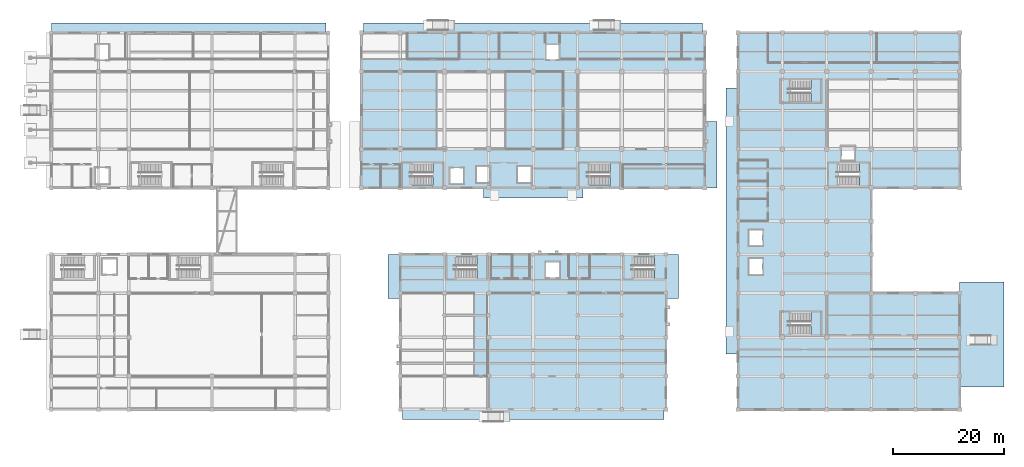
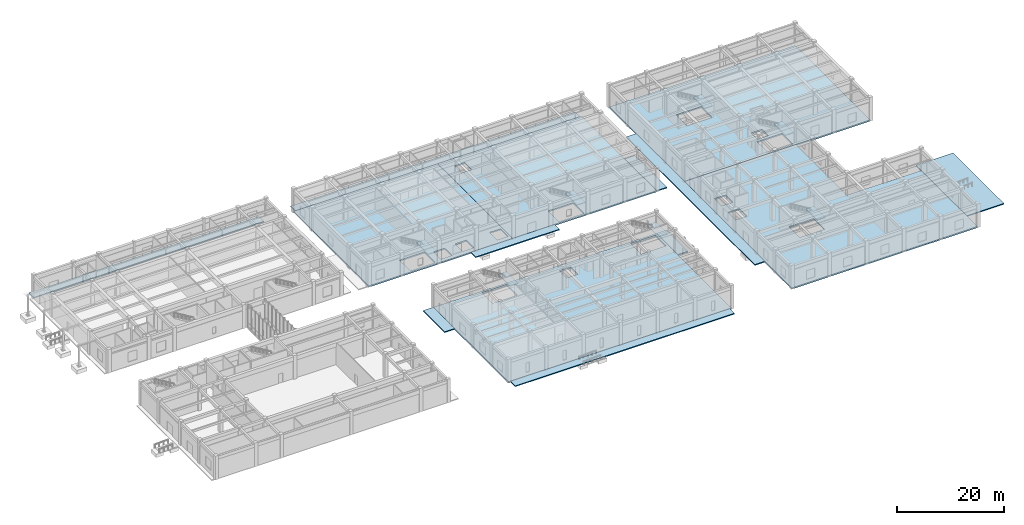
# One storey, part 13 of 40: 21 slabs, 7 elements without a shape of their own.
"""IFC4 building model written with IfcOpenShell, lengths in metres."""

from ifc_helpers import new_model, si_unit, direction, frame, origin, place, context, subcontext, project, spatial, polyline, outline, extrude, material, layer, layer_set, type_object, element, aggregate, save


model = new_model("IFC4")

# Units and contexts
model_context = context("Model", 3, precision=1e-05, world=origin(), true_north=direction((0.0, 1.0)))
body_context = subcontext(model_context, "Body", "Model", "MODEL_VIEW")
ifc_project = project(units=[si_unit("LENGTHUNIT", "METRE"), si_unit("AREAUNIT", "SQUARE_METRE"), si_unit("VOLUMEUNIT", "CUBIC_METRE"), si_unit("PLANEANGLEUNIT", "RADIAN"), si_unit("MASSUNIT", "GRAM", prefix="KILO")], contexts=[model_context])

# Site, building, storey
site_placement = place(None, origin())
site = spatial("IfcSite", under=ifc_project, at=site_placement, CompositionType="ELEMENT")
building_placement = place(site_placement, origin())
building = spatial("IfcBuilding", under=site, at=building_placement, Name="Naurynzar Civic Courthouse", CompositionType="ELEMENT")
storey_placement = place(building_placement, origin())
storey = spatial("IfcBuildingStorey", under=building, at=storey_placement, Name="L01", CompositionType="ELEMENT", Elevation=0.0)

# Slabs
ifc_material_1 = material(Name="Concrete C35/45", Category="concrete")
ifc_layer_1 = layer(ifc_material_1, 0.219970703125)
ifc_layer_set_1 = layer_set([ifc_layer_1], Name="SLB-APRON-220")
slab_type_1 = type_object("IfcSlabType", Name="SLB-APRON-220", PredefinedType="BASESLAB", material=ifc_layer_set_1)
slab_1_placement = place(storey_placement, frame((0.0, 0.0, -0.219970703125)))
element("IfcSlab", 1, at=slab_1_placement, inside=storey, type_object=slab_type_1, Name="East secure sally-port vehicle apron slab", PredefinedType="BASESLAB", context=body_context, shape_type="SweptSolid", body=[
    extrude(outline(polyline([(170.0, 8.0), (178.0, 8.0), (178.0, 27.0), (170.0, 27.0), (170.0, 8.0)])), origin(), (0.0, 0.0, 1.0), 0.219970703125),
])
slab_2_placement = place(storey_placement, frame((0.0, 0.0, -0.219970703125)))
element("IfcSlab", 2, at=slab_2_placement, inside=storey, type_object=slab_type_1, Name="Exterior civic paving SLB-PAV-V1N", PredefinedType="BASESLAB", context=body_context, shape_type="SweptSolid", body=[
    extrude(outline(polyline([(6.0, 72.0), (55.60009765625, 72.0), (55.60009765625, 73.800048828125), (6.0, 73.800048828125), (6.0, 72.0)])), origin(), (0.0, 0.0, 1.0), 0.219970703125),
])
slab_3_placement = place(storey_placement, frame((0.0, 0.0, -0.219970703125)))
element("IfcSlab", 3, at=slab_3_placement, inside=storey, type_object=slab_type_1, Name="Exterior civic paving SLB-PAV-V2N", PredefinedType="BASESLAB", context=body_context, shape_type="SweptSolid", body=[
    extrude(outline(polyline([(62.39990234375, 72.0), (123.60009765625, 72.0), (123.60009765625, 73.800048828125), (62.39990234375, 73.800048828125), (62.39990234375, 72.0)])), origin(), (0.0, 0.0, 1.0), 0.219970703125),
])
slab_4_placement = place(storey_placement, frame((0.0, 0.0, -0.219970703125)))
element("IfcSlab", 4, at=slab_4_placement, inside=storey, type_object=slab_type_1, Name="Exterior civic paving SLB-PAV-V2E", PredefinedType="BASESLAB", context=body_context, shape_type="SweptSolid", body=[
    extrude(outline(polyline([(124.0, 44.0), (126.199951171875, 44.0), (126.199951171875, 56.0), (124.0, 56.0), (124.0, 44.0)])), origin(), (0.0, 0.0, 1.0), 0.219970703125),
])
slab_5_placement = place(storey_placement, frame((0.0, 0.0, -0.219970703125)))
element("IfcSlab", 5, at=slab_5_placement, inside=storey, type_object=slab_type_1, Name="Exterior civic paving SLB-PAV-V2S", PredefinedType="BASESLAB", context=body_context, shape_type="SweptSolid", body=[
    extrude(outline(polyline([(84.0, 42.199951171875), (102.0, 42.199951171875), (102.0, 44.0), (84.0, 44.0), (84.0, 42.199951171875)])), origin(), (0.0, 0.0, 1.0), 0.219970703125),
])
slab_6_placement = place(storey_placement, frame((0.0, 0.0, -0.219970703125)))
element("IfcSlab", 6, at=slab_6_placement, inside=storey, type_object=slab_type_1, Name="Exterior civic paving SLB-PAV-V3S", PredefinedType="BASESLAB", context=body_context, shape_type="SweptSolid", body=[
    extrude(outline(polyline([(69.39990234375, 2.199951171875), (116.60009765625, 2.199951171875), (116.60009765625, 4.0), (69.39990234375, 4.0), (69.39990234375, 2.199951171875)])), origin(), (0.0, 0.0, 1.0), 0.219970703125),
])
slab_7_placement = place(storey_placement, frame((0.0, 0.0, -0.219970703125)))
element("IfcSlab", 7, at=slab_7_placement, inside=storey, type_object=slab_type_1, Name="Exterior civic paving SLB-PAV-V3W", PredefinedType="BASESLAB", context=body_context, shape_type="SweptSolid", body=[
    extrude(outline(polyline([(66.800048828125, 24.0), (69.0, 24.0), (69.0, 32.0), (66.800048828125, 32.0), (66.800048828125, 24.0)])), origin(), (0.0, 0.0, 1.0), 0.219970703125),
])
slab_8_placement = place(storey_placement, frame((0.0, 0.0, -0.219970703125)))
element("IfcSlab", 8, at=slab_8_placement, inside=storey, type_object=slab_type_1, Name="Exterior civic paving SLB-PAV-V3E", PredefinedType="BASESLAB", context=body_context, shape_type="SweptSolid", body=[
    extrude(outline(polyline([(117.0, 24.0), (119.199951171875, 24.0), (119.199951171875, 32.0), (117.0, 32.0), (117.0, 24.0)])), origin(), (0.0, 0.0, 1.0), 0.219970703125),
])
slab_9_placement = place(storey_placement, frame((0.0, 0.0, -0.219970703125)))
element("IfcSlab", 9, at=slab_9_placement, inside=storey, type_object=slab_type_1, Name="Exterior civic paving SLB-PAV-V5W", PredefinedType="BASESLAB", context=body_context, shape_type="SweptSolid", body=[
    extrude(outline(polyline([(127.800048828125, 14.0), (130.0, 14.0), (130.0, 62.0), (127.800048828125, 62.0), (127.800048828125, 14.0)])), origin(), (0.0, 0.0, 1.0), 0.219970703125),
])

# Stair, slab
ifc_material_2 = material(Name="Concrete C35/45", Category="concrete")
stair_type_1 = type_object("IfcStairType", Name="STAIR-CORE-1600", PredefinedType="TWO_STRAIGHT_RUN_STAIR", material=ifc_material_2)
stair_1_placement = place(storey_placement, origin())
stair_1 = element("IfcStair", 10, at=stair_1_placement, inside=storey, type_object=stair_type_1, Name="Enclosed escape stair ST-V2A L01", PredefinedType="TWO_STRAIGHT_RUN_STAIR")
ifc_material_3 = material(Name="Concrete C35/45", Category="concrete")
ifc_layer_2 = layer(ifc_material_3, 0.199951171875)
ifc_layer_set_2 = layer_set([ifc_layer_2], Name="SLB-LAND-200")
slab_type_2 = type_object("IfcSlabType", Name="SLB-LAND-200", PredefinedType="LANDING", material=ifc_layer_set_2)
slab_10_placement = place(storey_placement, frame((0.0, 0.0, 2.5)))
slab_10 = element("IfcSlab", 11, at=slab_10_placement, type_object=slab_type_2, Name="ST-V2A-L01 landing 1", PredefinedType="LANDING", context=body_context, shape_type="SweptSolid", body=[
    extrude(outline(polyline([(74.89990234375, 44.080078125), (76.669921875, 44.080078125), (76.669921875, 48.52001953125), (74.89990234375, 48.52001953125), (74.89990234375, 44.080078125)])), origin(), (0.0, 0.0, 1.0), 0.199951171875),
])
aggregate(stair_1, [slab_10])

stair_2_placement = place(storey_placement, origin())
stair_2 = element("IfcStair", 12, at=stair_2_placement, inside=storey, type_object=stair_type_1, Name="Enclosed escape stair ST-V2B L01", PredefinedType="TWO_STRAIGHT_RUN_STAIR")
slab_11_placement = place(storey_placement, frame((0.0, 0.0, 2.5)))
slab_11 = element("IfcSlab", 13, at=slab_11_placement, type_object=slab_type_2, Name="ST-V2B-L01 landing 1", PredefinedType="LANDING", context=body_context, shape_type="SweptSolid", body=[
    extrude(outline(polyline([(106.89990234375, 44.080078125), (108.669921875, 44.080078125), (108.669921875, 48.52001953125), (106.89990234375, 48.52001953125), (106.89990234375, 44.080078125)])), origin(), (0.0, 0.0, 1.0), 0.199951171875),
])
aggregate(stair_2, [slab_11])

stair_3_placement = place(storey_placement, origin())
stair_3 = element("IfcStair", 14, at=stair_3_placement, inside=storey, type_object=stair_type_1, Name="Enclosed escape stair ST-V3A L01", PredefinedType="TWO_STRAIGHT_RUN_STAIR")
slab_12_placement = place(storey_placement, frame((0.0, 0.0, 2.5)))
slab_12 = element("IfcSlab", 15, at=slab_12_placement, type_object=slab_type_2, Name="ST-V3A-L01 landing 1", PredefinedType="LANDING", context=body_context, shape_type="SweptSolid", body=[
    extrude(outline(polyline([(82.89990234375, 27.47998046875), (84.669921875, 27.47998046875), (84.669921875, 31.919921875), (82.89990234375, 31.919921875), (82.89990234375, 27.47998046875)])), origin(), (0.0, 0.0, 1.0), 0.199951171875),
])
aggregate(stair_3, [slab_12])

stair_4_placement = place(storey_placement, origin())
stair_4 = element("IfcStair", 16, at=stair_4_placement, inside=storey, type_object=stair_type_1, Name="Enclosed escape stair ST-V3B L01", PredefinedType="TWO_STRAIGHT_RUN_STAIR")
slab_13_placement = place(storey_placement, frame((0.0, 0.0, 2.5)))
slab_13 = element("IfcSlab", 17, at=slab_13_placement, type_object=slab_type_2, Name="ST-V3B-L01 landing 1", PredefinedType="LANDING", context=body_context, shape_type="SweptSolid", body=[
    extrude(outline(polyline([(114.89990234375, 27.47998046875), (116.919921875, 27.47998046875), (116.919921875, 31.919921875), (114.89990234375, 31.919921875), (114.89990234375, 27.47998046875)])), origin(), (0.0, 0.0, 1.0), 0.199951171875),
])
aggregate(stair_4, [slab_13])

stair_5_placement = place(storey_placement, origin())
stair_5 = element("IfcStair", 18, at=stair_5_placement, inside=storey, type_object=stair_type_1, Name="Enclosed escape stair ST-V5A L01", PredefinedType="TWO_STRAIGHT_RUN_STAIR")
slab_14_placement = place(storey_placement, frame((0.0, 0.0, 2.5)))
slab_14 = element("IfcSlab", 19, at=slab_14_placement, type_object=slab_type_2, Name="ST-V5A-L01 landing 1", PredefinedType="LANDING", context=body_context, shape_type="SweptSolid", body=[
    extrude(outline(polyline([(143.199951171875, 17.3798828125), (144.969970703125, 17.3798828125), (144.969970703125, 21.6201171875), (143.199951171875, 21.6201171875), (143.199951171875, 17.3798828125)])), origin(), (0.0, 0.0, 1.0), 0.199951171875),
])
aggregate(stair_5, [slab_14])

stair_6_placement = place(storey_placement, origin())
stair_6 = element("IfcStair", 20, at=stair_6_placement, inside=storey, type_object=stair_type_1, Name="Enclosed escape stair ST-V5B L01", PredefinedType="TWO_STRAIGHT_RUN_STAIR")
slab_15_placement = place(storey_placement, frame((0.0, 0.0, 2.5)))
slab_15 = element("IfcSlab", 21, at=slab_15_placement, type_object=slab_type_2, Name="ST-V5B-L01 landing 1", PredefinedType="LANDING", context=body_context, shape_type="SweptSolid", body=[
    extrude(outline(polyline([(143.199951171875, 59.3798828125), (144.969970703125, 59.3798828125), (144.969970703125, 63.6201171875), (143.199951171875, 63.6201171875), (143.199951171875, 59.3798828125)])), origin(), (0.0, 0.0, 1.0), 0.199951171875),
])
aggregate(stair_6, [slab_15])

ifc_material_4 = material(Name="Concrete C35/45", Category="concrete")
stair_type_2 = type_object("IfcStairType", Name="STAIR-CUS-1550", PredefinedType="TWO_STRAIGHT_RUN_STAIR", material=ifc_material_4)
stair_7_placement = place(storey_placement, origin())
stair_7 = element("IfcStair", 22, at=stair_7_placement, inside=storey, type_object=stair_type_2, Name="Enclosed escape stair ST-CUS L01", PredefinedType="TWO_STRAIGHT_RUN_STAIR")
slab_16_placement = place(storey_placement, frame((0.0, 0.0, 2.5)))
slab_16 = element("IfcSlab", 23, at=slab_16_placement, type_object=slab_type_2, Name="ST-CUS-L01 landing 1", PredefinedType="LANDING", context=body_context, shape_type="SweptSolid", body=[
    extrude(outline(polyline([(151.89990234375, 44.280029296875), (153.669921875, 44.280029296875), (153.669921875, 48.52001953125), (151.89990234375, 48.52001953125), (151.89990234375, 44.280029296875)])), origin(), (0.0, 0.0, 1.0), 0.199951171875),
])
aggregate(stair_7, [slab_16])

# Slabs
ifc_material_5 = material(Name="Concrete C35/45", Category="concrete")
ifc_layer_3 = layer(ifc_material_5, 0.300048828125)
ifc_layer_set_3 = layer_set([ifc_layer_3], Name="SLB-PT-300")
slab_type_3 = type_object("IfcSlabType", Name="SLB-PT-300", PredefinedType="FLOOR", material=ifc_layer_set_3)
slab_17_placement = place(storey_placement, frame((0.0, 0.0, -0.300048828125)))
element("IfcSlab", 24, at=slab_17_placement, inside=storey, type_object=slab_type_3, Name="V2 floor slab L01 W", PredefinedType="FLOOR", context=body_context, shape_type="SweptSolid", body=[
    extrude(outline(polyline([(93.0, 44.0), (93.0, 72.0), (62.0, 72.0), (62.0, 44.0), (93.0, 44.0)]), holes=[polyline([(71.179931640625, 44.39990234375), (76.550048828125, 44.39990234375), (76.550048828125, 48.39990234375), (71.179931640625, 48.39990234375), (71.179931640625, 44.39990234375)]), polyline([(78.0, 44.85009765625), (80.39990234375, 44.85009765625), (80.39990234375, 47.550048828125), (78.0, 47.550048828125), (78.0, 44.85009765625)]), polyline([(82.800048828125, 45.0), (85.199951171875, 45.0), (85.199951171875, 47.800048828125), (82.800048828125, 47.800048828125), (82.800048828125, 45.0)]), polyline([(90.199951171875, 45.0), (92.60009765625, 45.0), (92.60009765625, 47.800048828125), (90.199951171875, 47.800048828125), (90.199951171875, 45.0)])]), origin(), (0.0, 0.0, 1.0), 0.300048828125),
])
slab_18_placement = place(storey_placement, frame((0.0, 0.0, -0.300048828125)))
element("IfcSlab", 25, at=slab_18_placement, inside=storey, type_object=slab_type_3, Name="V2 floor slab L01 E", PredefinedType="FLOOR", context=body_context, shape_type="SweptSolid", body=[
    extrude(outline(polyline([(124.0, 44.0), (124.0, 72.0), (93.0, 72.0), (93.0, 44.0), (124.0, 44.0)]), holes=[polyline([(103.179931640625, 44.39990234375), (108.550048828125, 44.39990234375), (108.550048828125, 48.39990234375), (103.179931640625, 48.39990234375), (103.179931640625, 44.39990234375)]), polyline([(95.39990234375, 67.199951171875), (97.60009765625, 67.199951171875), (97.60009765625, 69.800048828125), (95.39990234375, 69.800048828125), (95.39990234375, 67.199951171875)])]), origin(), (0.0, 0.0, 1.0), 0.300048828125),
])
slab_19_placement = place(storey_placement, frame((0.0, 0.0, -0.300048828125)))
element("IfcSlab", 26, at=slab_19_placement, inside=storey, type_object=slab_type_3, Name="V5 floor slab L01 S", PredefinedType="FLOOR", context=body_context, shape_type="SweptSolid", body=[
    extrude(outline(polyline([(170.0, 4.0), (130.0, 4.0), (130.0, 44.0), (154.0, 44.0), (154.0, 25.0), (170.0, 25.0), (170.0, 4.0)]), holes=[polyline([(139.47998046875, 17.5), (144.85009765625, 17.5), (144.85009765625, 21.5), (139.47998046875, 21.5), (139.47998046875, 17.5)]), polyline([(132.0, 33.64990234375), (134.39990234375, 33.64990234375), (134.39990234375, 36.35009765625), (132.0, 36.35009765625), (132.0, 33.64990234375)]), polyline([(132.0, 28.39990234375), (134.39990234375, 28.39990234375), (134.39990234375, 31.199951171875), (132.0, 31.199951171875), (132.0, 28.39990234375)])]), origin(), (0.0, 0.0, 1.0), 0.300048828125),
])
slab_20_placement = place(storey_placement, frame((0.0, 0.0, -0.300048828125)))
element("IfcSlab", 27, at=slab_20_placement, inside=storey, type_object=slab_type_3, Name="V5 floor slab L01 N", PredefinedType="FLOOR", context=body_context, shape_type="SweptSolid", body=[
    extrude(outline(polyline([(170.0, 44.0), (170.0, 72.0), (130.0, 72.0), (130.0, 44.0), (170.0, 44.0)]), holes=[polyline([(139.47998046875, 59.5), (144.85009765625, 59.5), (144.85009765625, 63.5), (139.47998046875, 63.5), (139.47998046875, 59.5)]), polyline([(148.179931640625, 44.39990234375), (153.550048828125, 44.39990234375), (153.550048828125, 48.39990234375), (148.179931640625, 48.39990234375), (148.179931640625, 44.39990234375)]), polyline([(148.64990234375, 49.050048828125), (150.949951171875, 49.050048828125), (150.949951171875, 51.449951171875), (148.64990234375, 51.449951171875), (148.64990234375, 49.050048828125)])]), origin(), (0.0, 0.0, 1.0), 0.300048828125),
])
ifc_material_6 = material(Name="Concrete C35/45", Category="concrete")
ifc_layer_4 = layer(ifc_material_6, 0.340087890625)
ifc_layer_set_4 = layer_set([ifc_layer_4], Name="SLB-STACK-340")
slab_type_4 = type_object("IfcSlabType", Name="SLB-STACK-340", PredefinedType="FLOOR", material=ifc_layer_set_4)
slab_21_placement = place(storey_placement, frame((0.0, 0.0, -0.340087890625)))
element("IfcSlab", 28, at=slab_21_placement, inside=storey, type_object=slab_type_4, Name="V3 floor slab L01", PredefinedType="FLOOR", context=body_context, shape_type="SweptSolid", body=[
    extrude(outline(polyline([(117.0, 4.0), (117.0, 32.0), (69.0, 32.0), (69.0, 4.0), (117.0, 4.0)]), holes=[polyline([(79.179931640625, 27.60009765625), (84.550048828125, 27.60009765625), (84.550048828125, 31.60009765625), (79.179931640625, 31.60009765625), (79.179931640625, 27.60009765625)]), polyline([(111.179931640625, 27.60009765625), (116.550048828125, 27.60009765625), (116.550048828125, 31.60009765625), (111.179931640625, 31.60009765625), (111.179931640625, 27.60009765625)]), polyline([(95.300048828125, 27.85009765625), (97.699951171875, 27.85009765625), (97.699951171875, 30.550048828125), (95.300048828125, 30.550048828125), (95.300048828125, 27.85009765625)])]), origin(), (0.0, 0.0, 1.0), 0.340087890625),
])

save(model, "model.ifc")
